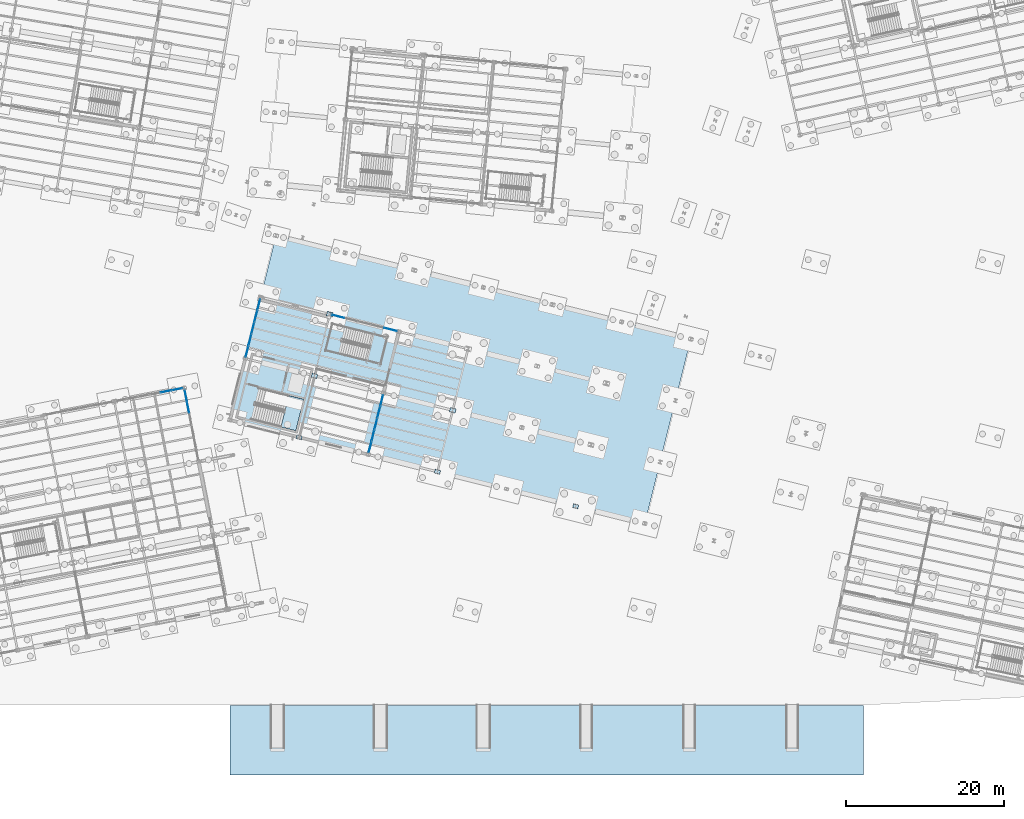
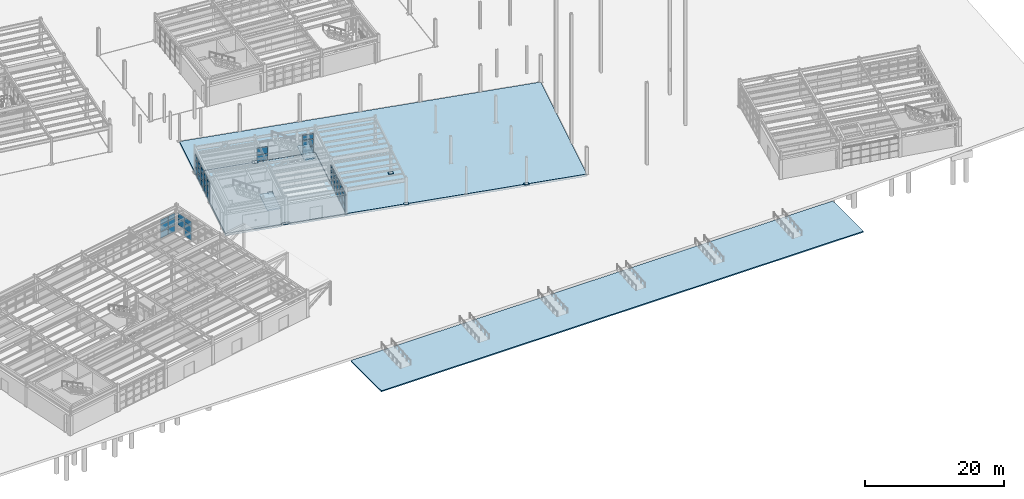
# One storey, part 62 of 108: 52 plates, 5 slabs, 7 elements without a shape of their own.
"""IFC4 building model written with IfcOpenShell, lengths in metres."""

from ifc_helpers import new_model, si_unit, direction, frame, origin, origin_2d, place, context, subcontext, project, spatial, polyline, rectangle, outline, extrude, material, layer, layer_set, type_object, element, aggregate, save


model = new_model("IFC4")

# Units and contexts
model_context = context("Model", 3, precision=1e-05, world=origin(), true_north=direction((0.0, 1.0)))
body_context = subcontext(model_context, "Body", "Model", "MODEL_VIEW")
ifc_project = project(units=[si_unit("LENGTHUNIT", "METRE"), si_unit("AREAUNIT", "SQUARE_METRE"), si_unit("VOLUMEUNIT", "CUBIC_METRE"), si_unit("PLANEANGLEUNIT", "RADIAN"), si_unit("MASSUNIT", "GRAM", prefix="KILO")], contexts=[model_context])

# Site, building, storey
site_placement = place(None, origin())
site = spatial("IfcSite", under=ifc_project, at=site_placement, CompositionType="ELEMENT")
building_placement = place(site_placement, origin())
building = spatial("IfcBuilding", under=site, at=building_placement, Name="Vireo Bluff Cable Station", CompositionType="ELEMENT")
storey_placement = place(building_placement, origin())
storey = spatial("IfcBuildingStorey", under=building, at=storey_placement, Name="L00", CompositionType="ELEMENT", Elevation=0.0)

# Plates
ifc_material_1 = material(Name="Steel ASTM A572 Gr. 50", Category="steel")
ifc_layer_1 = layer(ifc_material_1, 0.0419921875, Name="Steel ASTM A572 Gr. 50")
ifc_layer_set_1 = layer_set([ifc_layer_1], Name="Steel ASTM A572 Gr. 50")
plate_type_1 = type_object("IfcPlateType", Name="BASEPLATE-680X500X42", PredefinedType="SHEET", material=ifc_layer_set_1)
for number, where, z_axis, x_axis, name in (
    (1, (62.732666015625, 35.82275390625, 0.0), (0.0, 0.0, 1.0), (0.970295726276, -0.2419218956, 0.0), "V1 column baseplate 5"),
    (2, (97.663330078125, 27.113525390625, 0.0), (0.0, 0.0, 1.0), (0.970295726276, -0.2419218956, 0.0), "V1 column baseplate 21"),
):
    element("IfcPlate", number, at=place(storey_placement, frame(where, z_axis=z_axis, x_axis=x_axis)), inside=storey, type_object=plate_type_1, Name=name, PredefinedType="SHEET", context=body_context, shape_type="SweptSolid", body=[
        extrude(rectangle(XDim=0.679931640625, YDim=0.5, at=origin_2d()), origin(), (0.0, 0.0, 1.0), 0.0419921875),
    ])
ifc_layer_2 = layer(ifc_material_1, 0.0439453125, Name="Steel ASTM A572 Gr. 50")
ifc_layer_set_2 = layer_set([ifc_layer_2], Name="Steel ASTM A572 Gr. 50")
plate_type_2 = type_object("IfcPlateType", Name="BASEPLATE-700X510X44", PredefinedType="SHEET", material=ifc_layer_set_2)
plate_1_placement = place(storey_placement, frame((80.197998046875, 31.468017578125, 0.0), z_axis=(0.0, 0.0, 1.0), x_axis=(0.970295726276, -0.2419218956, 0.0)))
element("IfcPlate", 3, at=plate_1_placement, inside=storey, type_object=plate_type_2, Name="V1 column baseplate 13", PredefinedType="SHEET", context=body_context, shape_type="SweptSolid", body=[
    extrude(rectangle(XDim=0.699951171875, YDim=0.510009765625, at=origin_2d()), origin(), (0.0, 0.0, 1.0), 0.0439453125),
])
ifc_layer_3 = layer(ifc_material_1, 0.044921875, Name="Steel ASTM A572 Gr. 50")
ifc_layer_set_3 = layer_set([ifc_layer_3], Name="Steel ASTM A572 Gr. 50")
plate_type_3 = type_object("IfcPlateType", Name="BASEPLATE-720X540X45", PredefinedType="SHEET", material=ifc_layer_set_3)
plate_2_placement = place(storey_placement, frame((64.66796875, 43.5849609375, 0.0), z_axis=(0.0, 0.0, 1.0), x_axis=(0.970295726276, -0.2419218956, 0.0)))
element("IfcPlate", 4, at=plate_2_placement, inside=storey, type_object=plate_type_3, Name="V1 column baseplate 6", PredefinedType="SHEET", context=body_context, shape_type="SweptSolid", body=[
    extrude(rectangle(XDim=0.719970703125, YDim=0.5400390625, at=origin_2d()), origin(), (0.0, 0.0, 1.0), 0.044921875),
])
ifc_layer_4 = layer(ifc_material_1, 0.047119140625, Name="Steel ASTM A572 Gr. 50")
ifc_layer_set_4 = layer_set([ifc_layer_4], Name="Steel ASTM A572 Gr. 50")
plate_type_4 = type_object("IfcPlateType", Name="BASEPLATE-740X550X47", PredefinedType="SHEET", material=ifc_layer_set_4)
plate_3_placement = place(storey_placement, frame((82.13330078125, 39.23046875, 0.0), z_axis=(0.0, 0.0, 1.0), x_axis=(0.970295726276, -0.2419218956, 0.0)))
element("IfcPlate", 5, at=plate_3_placement, inside=storey, type_object=plate_type_4, Name="V1 column baseplate 14", PredefinedType="SHEET", context=body_context, shape_type="SweptSolid", body=[
    extrude(rectangle(XDim=0.739990234375, YDim=0.550048828125, at=origin_2d()), origin(), (0.0, 0.0, 1.0), 0.047119140625),
])
ifc_layer_5 = layer(ifc_material_1, 0.050048828125, Name="Steel ASTM A572 Gr. 50")
ifc_layer_set_5 = layer_set([ifc_layer_5], Name="Steel ASTM A572 Gr. 50")
plate_type_5 = type_object("IfcPlateType", Name="BASEPLATE-780X580X50", PredefinedType="SHEET", material=ifc_layer_set_5)
plate_4_placement = place(storey_placement, frame((66.603515625, 51.347412109375, 0.0), z_axis=(0.0, 0.0, 1.0), x_axis=(0.970295726276, -0.2419218956, 0.0)))
element("IfcPlate", 6, at=plate_4_placement, inside=storey, type_object=plate_type_5, Name="V1 column baseplate 7", PredefinedType="SHEET", context=body_context, shape_type="SweptSolid", body=[
    extrude(rectangle(XDim=0.780029296875, YDim=0.580078125, at=origin_2d()), origin(), (0.0, 0.0, 1.0), 0.050048828125),
])

# Curtain wall, plates
ifc_material_2 = material(Name="Anodized Aluminium 6063-T6", Category="aluminium")
ifc_layer_6 = layer(ifc_material_2, 0.179931640625, Name="Anodized Aluminium 6063-T6")
ifc_layer_set_6 = layer_set([ifc_layer_6], Name="Anodized Aluminium 6063-T6")
curtain_wall_type_1 = type_object("IfcCurtainWallType", Name="CW-UNIT-1500", PredefinedType="USERDEFINED", material=ifc_layer_set_6)
curtain_wall_1_placement = place(storey_placement, origin())
curtain_wall_1 = element("IfcCurtainWall", 7, at=curtain_wall_1_placement, inside=storey, type_object=curtain_wall_type_1, Name="V5 L00 north curtain wall CW-115", ObjectType="UNITISED CURTAIN WALL", PredefinedType="USERDEFINED")
ifc_material_3 = material(Name="Laminated Low-E Insulated Glass", Category="glass")
ifc_layer_7 = layer(ifc_material_3, 0.028076171875, Name="Laminated Low-E Insulated Glass")
ifc_layer_set_7 = layer_set([ifc_layer_7], Name="Laminated Low-E Insulated Glass")
plate_type_6 = type_object("IfcPlateType", Name="CWP-28-1", PredefinedType="CURTAIN_PANEL", material=ifc_layer_set_7)
plate_5_placement = place(storey_placement, frame((45.909423828125, 41.610595703125, 0.080078125), z_axis=(0.0, 0.0, 1.0), x_axis=(0.981627170646, 0.190809061234, 0.0)))
plate_5 = element("IfcPlate", 8, at=plate_5_placement, type_object=plate_type_6, Name="CW-115 panel 5.1", PredefinedType="CURTAIN_PANEL", context=body_context, shape_type="SweptSolid", body=[
    extrude(rectangle(XDim=1.364501953125, YDim=0.028076171875, at=origin_2d()), origin(), (0.0, 0.0, 1.0), 1.070068359375),
])
plate_6_placement = place(storey_placement, frame((45.909423828125, 41.610595703125, 1.22998046875), z_axis=(0.0, 0.0, 1.0), x_axis=(0.981627170646, 0.190809061234, 0.0)))
plate_6 = element("IfcPlate", 9, at=plate_6_placement, type_object=plate_type_6, Name="CW-115 panel 5.2", PredefinedType="CURTAIN_PANEL", context=body_context, shape_type="SweptSolid", body=[
    extrude(rectangle(XDim=1.364501953125, YDim=0.028076171875, at=origin_2d()), origin(), (0.0, 0.0, 1.0), 1.177978515625),
])
plate_7_placement = place(storey_placement, frame((45.909423828125, 41.610595703125, 2.488037109375), z_axis=(0.0, 0.0, 1.0), x_axis=(0.981627170646, 0.190809061234, 0.0)))
plate_7 = element("IfcPlate", 10, at=plate_7_placement, type_object=plate_type_6, Name="CW-115 panel 5.3", PredefinedType="CURTAIN_PANEL", context=body_context, shape_type="SweptSolid", body=[
    extrude(rectangle(XDim=1.364501953125, YDim=0.028076171875, at=origin_2d()), origin(), (0.0, 0.0, 1.0), 0.83203125),
])
plate_8_placement = place(storey_placement, frame((47.307861328125, 41.882568359375, 0.080078125), z_axis=(0.0, 0.0, 1.0), x_axis=(0.981627170646, 0.190809061234, 0.0)))
plate_8 = element("IfcPlate", 11, at=plate_8_placement, type_object=plate_type_6, Name="CW-115 panel 6.1", PredefinedType="CURTAIN_PANEL", context=body_context, shape_type="SweptSolid", body=[
    extrude(rectangle(XDim=1.324462890625, YDim=0.028076171875, at=origin_2d()), origin(), (0.0, 0.0, 1.0), 1.070068359375),
])
plate_9_placement = place(storey_placement, frame((47.307861328125, 41.882568359375, 1.22998046875), z_axis=(0.0, 0.0, 1.0), x_axis=(0.981627170646, 0.190809061234, 0.0)))
plate_9 = element("IfcPlate", 12, at=plate_9_placement, type_object=plate_type_6, Name="CW-115 panel 6.2", PredefinedType="CURTAIN_PANEL", context=body_context, shape_type="SweptSolid", body=[
    extrude(rectangle(XDim=1.324462890625, YDim=0.028076171875, at=origin_2d()), origin(), (0.0, 0.0, 1.0), 1.177978515625),
])
plate_10_placement = place(storey_placement, frame((47.307861328125, 41.882568359375, 2.488037109375), z_axis=(0.0, 0.0, 1.0), x_axis=(0.981627170646, 0.190809061234, 0.0)))
plate_10 = element("IfcPlate", 13, at=plate_10_placement, type_object=plate_type_6, Name="CW-115 panel 6.3", PredefinedType="CURTAIN_PANEL", context=body_context, shape_type="SweptSolid", body=[
    extrude(rectangle(XDim=1.324462890625, YDim=0.028076171875, at=origin_2d()), origin(), (0.0, 0.0, 1.0), 0.83203125),
])
aggregate(curtain_wall_1, [plate_5, plate_6, plate_7, plate_8, plate_9, plate_10])

curtain_wall_2_placement = place(storey_placement, origin())
curtain_wall_2 = element("IfcCurtainWall", 14, at=curtain_wall_2_placement, inside=storey, type_object=curtain_wall_type_1, Name="V1 L00 west curtain wall CW-001", ObjectType="UNITISED CURTAIN WALL", PredefinedType="USERDEFINED")
ifc_layer_8 = layer(ifc_material_3, 0.031982421875, Name="Laminated Low-E Insulated Glass")
ifc_layer_set_8 = layer_set([ifc_layer_8], Name="Laminated Low-E Insulated Glass")
plate_type_7 = type_object("IfcPlateType", Name="CWP-32-2", PredefinedType="CURTAIN_PANEL", material=ifc_layer_set_8)
plate_11_placement = place(storey_placement, frame((56.157470703125, 46.6533203125, 0.0751953125), z_axis=(0.0, 0.0, 1.0), x_axis=(0.241921841611, 0.970295739737, 0.0)))
plate_11 = element("IfcPlate", 15, at=plate_11_placement, type_object=plate_type_7, Name="CW-001 panel 1.1", PredefinedType="CURTAIN_PANEL", context=body_context, shape_type="SweptSolid", body=[
    extrude(rectangle(XDim=1.42578125, YDim=0.031982421875, at=origin_2d()), origin(), (0.0, 0.0, 1.0), 1.077392578125),
])
plate_12_placement = place(storey_placement, frame((56.157470703125, 46.6533203125, 1.2275390625), z_axis=(0.0, 0.0, 1.0), x_axis=(0.241921841611, 0.970295739737, 0.0)))
plate_12 = element("IfcPlate", 16, at=plate_12_placement, type_object=plate_type_7, Name="CW-001 panel 1.2", PredefinedType="CURTAIN_PANEL", context=body_context, shape_type="SweptSolid", body=[
    extrude(rectangle(XDim=1.42578125, YDim=0.031982421875, at=origin_2d()), origin(), (0.0, 0.0, 1.0), 1.18310546875),
])
plate_13_placement = place(storey_placement, frame((56.157470703125, 46.6533203125, 2.4853515625), z_axis=(0.0, 0.0, 1.0), x_axis=(0.241921841611, 0.970295739737, 0.0)))
plate_13 = element("IfcPlate", 17, at=plate_13_placement, type_object=plate_type_7, Name="CW-001 panel 1.3", PredefinedType="CURTAIN_PANEL", context=body_context, shape_type="SweptSolid", body=[
    extrude(rectangle(XDim=1.42578125, YDim=0.031982421875, at=origin_2d()), origin(), (0.0, 0.0, 1.0), 0.839599609375),
])
plate_14_placement = place(storey_placement, frame((56.525146484375, 48.127685546875, 0.0751953125), z_axis=(0.0, 0.0, 1.0), x_axis=(0.241921841611, 0.970295739737, 0.0)))
plate_14 = element("IfcPlate", 18, at=plate_14_placement, type_object=plate_type_7, Name="CW-001 panel 2.1", PredefinedType="CURTAIN_PANEL", context=body_context, shape_type="SweptSolid", body=[
    extrude(rectangle(XDim=1.463134765625, YDim=0.031982421875, at=origin_2d()), origin(), (0.0, 0.0, 1.0), 1.077392578125),
])
plate_15_placement = place(storey_placement, frame((56.525146484375, 48.127685546875, 1.2275390625), z_axis=(0.0, 0.0, 1.0), x_axis=(0.241921841611, 0.970295739737, 0.0)))
plate_15 = element("IfcPlate", 19, at=plate_15_placement, type_object=plate_type_7, Name="CW-001 panel 2.2", PredefinedType="CURTAIN_PANEL", context=body_context, shape_type="SweptSolid", body=[
    extrude(rectangle(XDim=1.463134765625, YDim=0.031982421875, at=origin_2d()), origin(), (0.0, 0.0, 1.0), 1.18310546875),
])
plate_16_placement = place(storey_placement, frame((56.525146484375, 48.127685546875, 2.4853515625), z_axis=(0.0, 0.0, 1.0), x_axis=(0.241921841611, 0.970295739737, 0.0)))
plate_16 = element("IfcPlate", 20, at=plate_16_placement, type_object=plate_type_7, Name="CW-001 panel 2.3", PredefinedType="CURTAIN_PANEL", context=body_context, shape_type="SweptSolid", body=[
    extrude(rectangle(XDim=1.463134765625, YDim=0.031982421875, at=origin_2d()), origin(), (0.0, 0.0, 1.0), 0.839599609375),
])
plate_17_placement = place(storey_placement, frame((56.897216796875, 49.620361328125, 0.0751953125), z_axis=(0.0, 0.0, 1.0), x_axis=(0.241921841611, 0.970295739737, 0.0)))
plate_17 = element("IfcPlate", 21, at=plate_17_placement, type_object=plate_type_7, Name="CW-001 panel 3.1", PredefinedType="CURTAIN_PANEL", context=body_context, shape_type="SweptSolid", body=[
    extrude(rectangle(XDim=1.463134765625, YDim=0.031982421875, at=origin_2d()), origin(), (0.0, 0.0, 1.0), 1.077392578125),
])
plate_18_placement = place(storey_placement, frame((56.897216796875, 49.620361328125, 1.2275390625), z_axis=(0.0, 0.0, 1.0), x_axis=(0.241921841611, 0.970295739737, 0.0)))
plate_18 = element("IfcPlate", 22, at=plate_18_placement, type_object=plate_type_7, Name="CW-001 panel 3.2", PredefinedType="CURTAIN_PANEL", context=body_context, shape_type="SweptSolid", body=[
    extrude(rectangle(XDim=1.463134765625, YDim=0.031982421875, at=origin_2d()), origin(), (0.0, 0.0, 1.0), 1.18310546875),
])
plate_19_placement = place(storey_placement, frame((56.897216796875, 49.620361328125, 2.4853515625), z_axis=(0.0, 0.0, 1.0), x_axis=(0.241921841611, 0.970295739737, 0.0)))
plate_19 = element("IfcPlate", 23, at=plate_19_placement, type_object=plate_type_7, Name="CW-001 panel 3.3", PredefinedType="CURTAIN_PANEL", context=body_context, shape_type="SweptSolid", body=[
    extrude(rectangle(XDim=1.463134765625, YDim=0.031982421875, at=origin_2d()), origin(), (0.0, 0.0, 1.0), 0.839599609375),
])
plate_20_placement = place(storey_placement, frame((57.269287109375, 51.11279296875, 0.0751953125), z_axis=(0.0, 0.0, 1.0), x_axis=(0.241921841611, 0.970295739737, 0.0)))
plate_20 = element("IfcPlate", 24, at=plate_20_placement, type_object=plate_type_7, Name="CW-001 panel 4.1", PredefinedType="CURTAIN_PANEL", context=body_context, shape_type="SweptSolid", body=[
    extrude(rectangle(XDim=1.463134765625, YDim=0.031982421875, at=origin_2d()), origin(), (0.0, 0.0, 1.0), 1.077392578125),
])
plate_21_placement = place(storey_placement, frame((57.269287109375, 51.11279296875, 1.2275390625), z_axis=(0.0, 0.0, 1.0), x_axis=(0.241921841611, 0.970295739737, 0.0)))
plate_21 = element("IfcPlate", 25, at=plate_21_placement, type_object=plate_type_7, Name="CW-001 panel 4.2", PredefinedType="CURTAIN_PANEL", context=body_context, shape_type="SweptSolid", body=[
    extrude(rectangle(XDim=1.463134765625, YDim=0.031982421875, at=origin_2d()), origin(), (0.0, 0.0, 1.0), 1.18310546875),
])
plate_22_placement = place(storey_placement, frame((57.269287109375, 51.11279296875, 2.4853515625), z_axis=(0.0, 0.0, 1.0), x_axis=(0.241921841611, 0.970295739737, 0.0)))
plate_22 = element("IfcPlate", 26, at=plate_22_placement, type_object=plate_type_7, Name="CW-001 panel 4.3", PredefinedType="CURTAIN_PANEL", context=body_context, shape_type="SweptSolid", body=[
    extrude(rectangle(XDim=1.463134765625, YDim=0.031982421875, at=origin_2d()), origin(), (0.0, 0.0, 1.0), 0.839599609375),
])
plate_23_placement = place(storey_placement, frame((57.636962890625, 52.587158203125, 0.0751953125), z_axis=(0.0, 0.0, 1.0), x_axis=(0.241921841611, 0.970295739737, 0.0)))
plate_23 = element("IfcPlate", 27, at=plate_23_placement, type_object=plate_type_7, Name="CW-001 panel 5.1", PredefinedType="CURTAIN_PANEL", context=body_context, shape_type="SweptSolid", body=[
    extrude(rectangle(XDim=1.42578125, YDim=0.031982421875, at=origin_2d()), origin(), (0.0, 0.0, 1.0), 1.077392578125),
])
plate_24_placement = place(storey_placement, frame((57.636962890625, 52.587158203125, 1.2275390625), z_axis=(0.0, 0.0, 1.0), x_axis=(0.241921841611, 0.970295739737, 0.0)))
plate_24 = element("IfcPlate", 28, at=plate_24_placement, type_object=plate_type_7, Name="CW-001 panel 5.2", PredefinedType="CURTAIN_PANEL", context=body_context, shape_type="SweptSolid", body=[
    extrude(rectangle(XDim=1.42578125, YDim=0.031982421875, at=origin_2d()), origin(), (0.0, 0.0, 1.0), 1.18310546875),
])
plate_25_placement = place(storey_placement, frame((57.636962890625, 52.587158203125, 2.4853515625), z_axis=(0.0, 0.0, 1.0), x_axis=(0.241921841611, 0.970295739737, 0.0)))
plate_25 = element("IfcPlate", 29, at=plate_25_placement, type_object=plate_type_7, Name="CW-001 panel 5.3", PredefinedType="CURTAIN_PANEL", context=body_context, shape_type="SweptSolid", body=[
    extrude(rectangle(XDim=1.42578125, YDim=0.031982421875, at=origin_2d()), origin(), (0.0, 0.0, 1.0), 0.839599609375),
])
aggregate(curtain_wall_2, [plate_11, plate_12, plate_13, plate_14, plate_15, plate_16, plate_17, plate_18, plate_19, plate_20, plate_21, plate_22, plate_23, plate_24, plate_25])

ifc_layer_9 = layer(ifc_material_2, 0.179931640625, Name="Anodized Aluminium 6063-T6")
ifc_layer_set_9 = layer_set([ifc_layer_9], Name="Anodized Aluminium 6063-T6")
curtain_wall_type_2 = type_object("IfcCurtainWallType", Name="CW-UNIT-1650", PredefinedType="USERDEFINED", material=ifc_layer_set_9)
curtain_wall_3_placement = place(storey_placement, origin())
curtain_wall_3 = element("IfcCurtainWall", 30, at=curtain_wall_3_placement, inside=storey, type_object=curtain_wall_type_2, Name="V5 L00 east curtain wall CW-116", ObjectType="UNITISED CURTAIN WALL", PredefinedType="USERDEFINED")
plate_26_placement = place(storey_placement, frame((48.422607421875, 41.09912109375, 1.22265625), z_axis=(0.0, 0.0, 1.0), x_axis=(0.190809009442, -0.981627180714, 0.0)))
plate_26 = element("IfcPlate", 31, at=plate_26_placement, type_object=plate_type_7, Name="CW-116 panel 1.2", PredefinedType="CURTAIN_PANEL", context=body_context, shape_type="SweptSolid", body=[
    extrude(rectangle(XDim=1.430419921875, YDim=0.031982421875, at=origin_2d()), origin(), (0.0, 0.0, 1.0), 1.193115234375),
])
plate_27_placement = place(storey_placement, frame((48.422607421875, 41.09912109375, 2.48046875), z_axis=(0.0, 0.0, 1.0), x_axis=(0.190809009442, -0.981627180714, 0.0)))
plate_27 = element("IfcPlate", 32, at=plate_27_placement, type_object=plate_type_7, Name="CW-116 panel 1.3", PredefinedType="CURTAIN_PANEL", context=body_context, shape_type="SweptSolid", body=[
    extrude(rectangle(XDim=1.430419921875, YDim=0.031982421875, at=origin_2d()), origin(), (0.0, 0.0, 1.0), 0.8544921875),
])
plate_28_placement = place(storey_placement, frame((48.7109375, 39.614990234375, 0.06494140625), z_axis=(0.0, 0.0, 1.0), x_axis=(0.190809009442, -0.981627180714, 0.0)))
plate_28 = element("IfcPlate", 33, at=plate_28_placement, type_object=plate_type_7, Name="CW-116 panel 2.1", PredefinedType="CURTAIN_PANEL", context=body_context, shape_type="SweptSolid", body=[
    extrude(rectangle(XDim=1.462890625, YDim=0.031982421875, at=origin_2d()), origin(), (0.0, 0.0, 1.0), 1.092529296875),
])
plate_29_placement = place(storey_placement, frame((48.7109375, 39.614990234375, 1.22265625), z_axis=(0.0, 0.0, 1.0), x_axis=(0.190809009442, -0.981627180714, 0.0)))
plate_29 = element("IfcPlate", 34, at=plate_29_placement, type_object=plate_type_7, Name="CW-116 panel 2.2", PredefinedType="CURTAIN_PANEL", context=body_context, shape_type="SweptSolid", body=[
    extrude(rectangle(XDim=1.462890625, YDim=0.031982421875, at=origin_2d()), origin(), (0.0, 0.0, 1.0), 1.193115234375),
])
plate_30_placement = place(storey_placement, frame((48.7109375, 39.614990234375, 2.48046875), z_axis=(0.0, 0.0, 1.0), x_axis=(0.190809009442, -0.981627180714, 0.0)))
plate_30 = element("IfcPlate", 35, at=plate_30_placement, type_object=plate_type_7, Name="CW-116 panel 2.3", PredefinedType="CURTAIN_PANEL", context=body_context, shape_type="SweptSolid", body=[
    extrude(rectangle(XDim=1.462890625, YDim=0.031982421875, at=origin_2d()), origin(), (0.0, 0.0, 1.0), 0.8544921875),
])
aggregate(curtain_wall_3, [plate_26, plate_27, plate_28, plate_29, plate_30])

curtain_wall_4_placement = place(storey_placement, origin())
curtain_wall_4 = element("IfcCurtainWall", 36, at=curtain_wall_4_placement, inside=storey, type_object=curtain_wall_type_2, Name="V1 L00 north curtain wall CW-002", ObjectType="UNITISED CURTAIN WALL", PredefinedType="USERDEFINED")
ifc_layer_10 = layer(ifc_material_3, 0.035888671875, Name="Laminated Low-E Insulated Glass")
ifc_layer_set_10 = layer_set([ifc_layer_10], Name="Laminated Low-E Insulated Glass")
plate_type_8 = type_object("IfcPlateType", Name="CWP-36-3", PredefinedType="CURTAIN_PANEL", material=ifc_layer_set_10)
plate_31_placement = place(storey_placement, frame((67.6484375, 51.0869140625, 0.06005859375), z_axis=(0.0, 0.0, 1.0), x_axis=(0.97029574678, -0.241921813364, 0.0)))
plate_31 = element("IfcPlate", 37, at=plate_31_placement, type_object=plate_type_8, Name="CW-002 panel 1.1", PredefinedType="CURTAIN_PANEL", context=body_context, shape_type="SweptSolid", body=[
    extrude(rectangle(XDim=1.62890625, YDim=0.035888671875, at=origin_2d()), origin(), (0.0, 0.0, 1.0), 1.10009765625),
])
plate_32_placement = place(storey_placement, frame((67.6484375, 51.0869140625, 1.22021484375), z_axis=(0.0, 0.0, 1.0), x_axis=(0.97029574678, -0.241921813364, 0.0)))
plate_32 = element("IfcPlate", 38, at=plate_32_placement, type_object=plate_type_8, Name="CW-002 panel 1.2", PredefinedType="CURTAIN_PANEL", context=body_context, shape_type="SweptSolid", body=[
    extrude(rectangle(XDim=1.62890625, YDim=0.035888671875, at=origin_2d()), origin(), (0.0, 0.0, 1.0), 1.197998046875),
])
plate_33_placement = place(storey_placement, frame((74.291015625, 49.4306640625, 0.06005859375), z_axis=(0.0, 0.0, 1.0), x_axis=(0.97029574678, -0.241921813364, 0.0)))
plate_33 = element("IfcPlate", 39, at=plate_33_placement, type_object=plate_type_8, Name="CW-002 panel 5.1", PredefinedType="CURTAIN_PANEL", context=body_context, shape_type="SweptSolid", body=[
    extrude(rectangle(XDim=1.62890625, YDim=0.035888671875, at=origin_2d()), origin(), (0.0, 0.0, 1.0), 1.10009765625),
])
plate_34_placement = place(storey_placement, frame((74.291015625, 49.4306640625, 1.22021484375), z_axis=(0.0, 0.0, 1.0), x_axis=(0.97029574678, -0.241921813364, 0.0)))
plate_34 = element("IfcPlate", 40, at=plate_34_placement, type_object=plate_type_8, Name="CW-002 panel 5.2", PredefinedType="CURTAIN_PANEL", context=body_context, shape_type="SweptSolid", body=[
    extrude(rectangle(XDim=1.62890625, YDim=0.035888671875, at=origin_2d()), origin(), (0.0, 0.0, 1.0), 1.197998046875),
])
plate_35_placement = place(storey_placement, frame((74.291015625, 49.4306640625, 2.47802734375), z_axis=(0.0, 0.0, 1.0), x_axis=(0.97029574678, -0.241921813364, 0.0)))
plate_35 = element("IfcPlate", 41, at=plate_35_placement, type_object=plate_type_8, Name="CW-002 panel 5.3", PredefinedType="CURTAIN_PANEL", context=body_context, shape_type="SweptSolid", body=[
    extrude(rectangle(XDim=1.62890625, YDim=0.035888671875, at=origin_2d()), origin(), (0.0, 0.0, 1.0), 0.862060546875),
])
aggregate(curtain_wall_4, [plate_31, plate_32, plate_33, plate_34, plate_35])

ifc_layer_11 = layer(ifc_material_2, 0.179931640625, Name="Anodized Aluminium 6063-T6")
ifc_layer_set_11 = layer_set([ifc_layer_11], Name="Anodized Aluminium 6063-T6")
curtain_wall_type_3 = type_object("IfcCurtainWallType", Name="CW-UNIT-1400", PredefinedType="USERDEFINED", material=ifc_layer_set_11)
curtain_wall_5_placement = place(storey_placement, origin())
curtain_wall_5 = element("IfcCurtainWall", 42, at=curtain_wall_5_placement, inside=storey, type_object=curtain_wall_type_3, Name="V1 L00 east curtain wall CW-003", ObjectType="UNITISED CURTAIN WALL", PredefinedType="USERDEFINED")
ifc_material_4 = material(Name="Insulated Spandrel Glass Panel", Category="glass")
ifc_layer_12 = layer(ifc_material_4, 0.0419921875, Name="Insulated Spandrel Glass Panel")
ifc_layer_set_12 = layer_set([ifc_layer_12], Name="Insulated Spandrel Glass Panel")
plate_type_9 = type_object("IfcPlateType", Name="CWP-42-4", PredefinedType="CURTAIN_PANEL", material=ifc_layer_set_12)
plate_36_placement = place(storey_placement, frame((73.161376953125, 40.44775390625, 0.080078125), z_axis=(0.0, 0.0, 1.0), x_axis=(-0.241921976125, -0.970295706199, 0.0)))
plate_36 = element("IfcPlate", 43, at=plate_36_placement, type_object=plate_type_9, Name="CW-003 panel 1.1", PredefinedType="CURTAIN_PANEL", context=body_context, shape_type="SweptSolid", body=[
    extrude(rectangle(XDim=1.397705078125, YDim=0.0419921875, at=origin_2d()), origin(), (0.0, 0.0, 1.0), 1.070068359375),
])
plate_37_placement = place(storey_placement, frame((73.161376953125, 40.44775390625, 1.22998046875), z_axis=(0.0, 0.0, 1.0), x_axis=(-0.241921976125, -0.970295706199, 0.0)))
plate_37 = element("IfcPlate", 44, at=plate_37_placement, type_object=plate_type_9, Name="CW-003 panel 1.2", PredefinedType="CURTAIN_PANEL", context=body_context, shape_type="SweptSolid", body=[
    extrude(rectangle(XDim=1.397705078125, YDim=0.0419921875, at=origin_2d()), origin(), (0.0, 0.0, 1.0), 1.177978515625),
])
plate_38_placement = place(storey_placement, frame((73.161376953125, 40.44775390625, 2.488037109375), z_axis=(0.0, 0.0, 1.0), x_axis=(-0.241921976125, -0.970295706199, 0.0)))
plate_38 = element("IfcPlate", 45, at=plate_38_placement, type_object=plate_type_9, Name="CW-003 panel 1.3", PredefinedType="CURTAIN_PANEL", context=body_context, shape_type="SweptSolid", body=[
    extrude(rectangle(XDim=1.397705078125, YDim=0.0419921875, at=origin_2d()), origin(), (0.0, 0.0, 1.0), 0.83203125),
])
plate_39_placement = place(storey_placement, frame((72.799072265625, 38.99462890625, 0.080078125), z_axis=(0.0, 0.0, 1.0), x_axis=(-0.241921976125, -0.970295706199, 0.0)))
plate_39 = element("IfcPlate", 46, at=plate_39_placement, type_object=plate_type_9, Name="CW-003 panel 2.1", PredefinedType="CURTAIN_PANEL", context=body_context, shape_type="SweptSolid", body=[
    extrude(rectangle(XDim=1.4375, YDim=0.0419921875, at=origin_2d()), origin(), (0.0, 0.0, 1.0), 1.070068359375),
])
plate_40_placement = place(storey_placement, frame((72.799072265625, 38.99462890625, 1.22998046875), z_axis=(0.0, 0.0, 1.0), x_axis=(-0.241921976125, -0.970295706199, 0.0)))
plate_40 = element("IfcPlate", 47, at=plate_40_placement, type_object=plate_type_9, Name="CW-003 panel 2.2", PredefinedType="CURTAIN_PANEL", context=body_context, shape_type="SweptSolid", body=[
    extrude(rectangle(XDim=1.4375, YDim=0.0419921875, at=origin_2d()), origin(), (0.0, 0.0, 1.0), 1.177978515625),
])
plate_41_placement = place(storey_placement, frame((72.799072265625, 38.99462890625, 2.488037109375), z_axis=(0.0, 0.0, 1.0), x_axis=(-0.241921976125, -0.970295706199, 0.0)))
plate_41 = element("IfcPlate", 48, at=plate_41_placement, type_object=plate_type_9, Name="CW-003 panel 2.3", PredefinedType="CURTAIN_PANEL", context=body_context, shape_type="SweptSolid", body=[
    extrude(rectangle(XDim=1.4375, YDim=0.0419921875, at=origin_2d()), origin(), (0.0, 0.0, 1.0), 0.83203125),
])
plate_42_placement = place(storey_placement, frame((72.431884765625, 37.522216796875, 0.080078125), z_axis=(0.0, 0.0, 1.0), x_axis=(-0.241921976125, -0.970295706199, 0.0)))
plate_42 = element("IfcPlate", 49, at=plate_42_placement, type_object=plate_type_9, Name="CW-003 panel 3.1", PredefinedType="CURTAIN_PANEL", context=body_context, shape_type="SweptSolid", body=[
    extrude(rectangle(XDim=1.4375, YDim=0.0419921875, at=origin_2d()), origin(), (0.0, 0.0, 1.0), 1.070068359375),
])
plate_43_placement = place(storey_placement, frame((72.431884765625, 37.522216796875, 1.22998046875), z_axis=(0.0, 0.0, 1.0), x_axis=(-0.241921976125, -0.970295706199, 0.0)))
plate_43 = element("IfcPlate", 50, at=plate_43_placement, type_object=plate_type_9, Name="CW-003 panel 3.2", PredefinedType="CURTAIN_PANEL", context=body_context, shape_type="SweptSolid", body=[
    extrude(rectangle(XDim=1.4375, YDim=0.0419921875, at=origin_2d()), origin(), (0.0, 0.0, 1.0), 1.177978515625),
])
plate_44_placement = place(storey_placement, frame((72.431884765625, 37.522216796875, 2.488037109375), z_axis=(0.0, 0.0, 1.0), x_axis=(-0.241921976125, -0.970295706199, 0.0)))
plate_44 = element("IfcPlate", 51, at=plate_44_placement, type_object=plate_type_9, Name="CW-003 panel 3.3", PredefinedType="CURTAIN_PANEL", context=body_context, shape_type="SweptSolid", body=[
    extrude(rectangle(XDim=1.4375, YDim=0.0419921875, at=origin_2d()), origin(), (0.0, 0.0, 1.0), 0.83203125),
])
plate_45_placement = place(storey_placement, frame((72.064697265625, 36.0498046875, 0.080078125), z_axis=(0.0, 0.0, 1.0), x_axis=(-0.241921976125, -0.970295706199, 0.0)))
plate_45 = element("IfcPlate", 52, at=plate_45_placement, type_object=plate_type_9, Name="CW-003 panel 4.1", PredefinedType="CURTAIN_PANEL", context=body_context, shape_type="SweptSolid", body=[
    extrude(rectangle(XDim=1.4375, YDim=0.0419921875, at=origin_2d()), origin(), (0.0, 0.0, 1.0), 1.070068359375),
])
plate_46_placement = place(storey_placement, frame((72.064697265625, 36.0498046875, 1.22998046875), z_axis=(0.0, 0.0, 1.0), x_axis=(-0.241921976125, -0.970295706199, 0.0)))
plate_46 = element("IfcPlate", 53, at=plate_46_placement, type_object=plate_type_9, Name="CW-003 panel 4.2", PredefinedType="CURTAIN_PANEL", context=body_context, shape_type="SweptSolid", body=[
    extrude(rectangle(XDim=1.4375, YDim=0.0419921875, at=origin_2d()), origin(), (0.0, 0.0, 1.0), 1.177978515625),
])
plate_47_placement = place(storey_placement, frame((72.064697265625, 36.0498046875, 2.488037109375), z_axis=(0.0, 0.0, 1.0), x_axis=(-0.241921976125, -0.970295706199, 0.0)))
plate_47 = element("IfcPlate", 54, at=plate_47_placement, type_object=plate_type_9, Name="CW-003 panel 4.3", PredefinedType="CURTAIN_PANEL", context=body_context, shape_type="SweptSolid", body=[
    extrude(rectangle(XDim=1.4375, YDim=0.0419921875, at=origin_2d()), origin(), (0.0, 0.0, 1.0), 0.83203125),
])
plate_48_placement = place(storey_placement, frame((71.702392578125, 34.5966796875, 0.080078125), z_axis=(0.0, 0.0, 1.0), x_axis=(-0.241921976125, -0.970295706199, 0.0)))
plate_48 = element("IfcPlate", 55, at=plate_48_placement, type_object=plate_type_9, Name="CW-003 panel 5.1", PredefinedType="CURTAIN_PANEL", context=body_context, shape_type="SweptSolid", body=[
    extrude(rectangle(XDim=1.397705078125, YDim=0.0419921875, at=origin_2d()), origin(), (0.0, 0.0, 1.0), 1.070068359375),
])
plate_49_placement = place(storey_placement, frame((71.702392578125, 34.5966796875, 1.22998046875), z_axis=(0.0, 0.0, 1.0), x_axis=(-0.241921976125, -0.970295706199, 0.0)))
plate_49 = element("IfcPlate", 56, at=plate_49_placement, type_object=plate_type_9, Name="CW-003 panel 5.2", PredefinedType="CURTAIN_PANEL", context=body_context, shape_type="SweptSolid", body=[
    extrude(rectangle(XDim=1.397705078125, YDim=0.0419921875, at=origin_2d()), origin(), (0.0, 0.0, 1.0), 1.177978515625),
])
plate_50_placement = place(storey_placement, frame((71.702392578125, 34.5966796875, 2.488037109375), z_axis=(0.0, 0.0, 1.0), x_axis=(-0.241921976125, -0.970295706199, 0.0)))
plate_50 = element("IfcPlate", 57, at=plate_50_placement, type_object=plate_type_9, Name="CW-003 panel 5.3", PredefinedType="CURTAIN_PANEL", context=body_context, shape_type="SweptSolid", body=[
    extrude(rectangle(XDim=1.397705078125, YDim=0.0419921875, at=origin_2d()), origin(), (0.0, 0.0, 1.0), 0.83203125),
])
aggregate(curtain_wall_5, [plate_36, plate_37, plate_38, plate_39, plate_40, plate_41, plate_42, plate_43, plate_44, plate_45, plate_46, plate_47, plate_48, plate_49, plate_50])

# Slabs
ifc_material_5 = material(Name="Concrete f'c 40 MPa", Category="concrete")
ifc_layer_13 = layer(ifc_material_5, 0.199951171875, Name="Concrete f'c 40 MPa")
ifc_layer_set_13 = layer_set([ifc_layer_13], Name="Concrete f'c 40 MPa")
slab_type_1 = type_object("IfcSlabType", Name="EXT-LANDING-200", PredefinedType="LANDING", material=ifc_layer_set_13)
slab_1_placement = place(storey_placement, frame((0.0, 0.0, -0.64990234375)))
element("IfcSlab", 58, at=slab_1_placement, inside=storey, type_object=slab_type_1, Name="South street arrival sidewalk apron", PredefinedType="LANDING", context=body_context, shape_type="SweptSolid", body=[
    extrude(outline(polyline([(54.0, -6.800048828125), (134.0, -6.800048828125), (134.0, 1.97998046875), (54.0, 1.97998046875), (54.0, -6.800048828125)])), origin(), (0.0, 0.0, 1.0), 0.199951171875),
])
ifc_layer_14 = layer(ifc_material_5, 0.419921875, Name="Concrete f'c 40 MPa")
ifc_layer_set_14 = layer_set([ifc_layer_14], Name="Concrete f'c 40 MPa")
slab_type_2 = type_object("IfcSlabType", Name="GSL-420", PredefinedType="BASESLAB", material=ifc_layer_set_14)
slab_2_placement = place(storey_placement, frame((0.0, 0.0, -0.419921875)))
element("IfcSlab", 59, at=slab_2_placement, inside=storey, type_object=slab_type_2, Name="V1 L00 base slab", PredefinedType="BASESLAB", context=body_context, shape_type="SweptSolid", body=[
    extrude(outline(polyline([(54.0, 38.0), (62.10205078125, 35.97998046875), (62.1552734375, 36.193359375), (63.41650390625, 35.87890625), (63.36328125, 35.66552734375), (71.46533203125, 33.6455078125), (75.336181640625, 49.170166015625), (57.870849609375, 53.524658203125), (54.0, 38.0)])), origin(), (0.0, 0.0, 1.0), 0.419921875),
])
ifc_layer_15 = layer(ifc_material_5, 0.419921875, Name="Concrete f'c 40 MPa")
ifc_layer_set_15 = layer_set([ifc_layer_15], Name="Concrete f'c 40 MPa")
slab_type_3 = type_object("IfcSlabType", Name="GSL-EXT-420", PredefinedType="BASESLAB", material=ifc_layer_set_15)
slab_3_placement = place(storey_placement, frame((0.0, 0.0, -0.419921875)))
element("IfcSlab", 60, at=slab_3_placement, inside=storey, type_object=slab_type_3, Name="V1 L00 covered plinth deck 1", PredefinedType="BASESLAB", context=body_context, shape_type="SweptSolid", body=[
    extrude(outline(polyline([(59.80615234375, 61.287109375), (112.2021484375, 48.223388671875), (106.39599609375, 24.936279296875), (71.494384765625, 33.63818359375), (75.37255859375, 49.19189453125), (57.8779296875, 53.553955078125), (59.80615234375, 61.287109375)])), origin(), (0.0, 0.0, 1.0), 0.419921875),
])

# Stair, slab
stair_type_1 = type_object("IfcStairType", Name="STAIR-HT-1950", PredefinedType="HALF_TURN_STAIR", material=ifc_material_5)
stair_1_placement = place(storey_placement, origin())
stair_1 = element("IfcStair", 61, at=stair_1_placement, inside=storey, type_object=stair_type_1, Name="L00 CORE-2 Exit Stair ST-02", PredefinedType="HALF_TURN_STAIR")
ifc_layer_16 = layer(ifc_material_5, 0.199951171875, Name="Concrete f'c 40 MPa")
ifc_layer_set_16 = layer_set([ifc_layer_16], Name="Concrete f'c 40 MPa")
slab_type_4 = type_object("IfcSlabType", Name="LANDING-200", PredefinedType="LANDING", material=ifc_layer_set_16)
slab_4_placement = place(storey_placement, frame((0.0, 0.0, 2.199951171875)))
slab_4 = element("IfcSlab", 62, at=slab_4_placement, type_object=slab_type_4, Name="ST-02 landing 1", PredefinedType="LANDING", context=body_context, shape_type="SweptSolid", body=[
    extrude(outline(polyline([(60.427001953125, 37.118896484375), (62.31982421875, 36.64697265625), (63.311767578125, 40.625244140625), (61.4189453125, 41.09716796875), (60.427001953125, 37.118896484375)])), origin(), (0.0, 0.0, 1.0), 0.199951171875),
])
aggregate(stair_1, [slab_4])

stair_type_2 = type_object("IfcStairType", Name="STAIR-HT-1680", PredefinedType="HALF_TURN_STAIR", material=ifc_material_5)
stair_2_placement = place(storey_placement, origin())
stair_2 = element("IfcStair", 63, at=stair_2_placement, inside=storey, type_object=stair_type_2, Name="L00 Feature Concourse Stair ST-10", PredefinedType="HALF_TURN_STAIR")
ifc_layer_17 = layer(ifc_material_5, 0.219970703125, Name="Concrete f'c 40 MPa")
ifc_layer_set_17 = layer_set([ifc_layer_17], Name="Concrete f'c 40 MPa")
slab_type_5 = type_object("IfcSlabType", Name="LANDING-220", PredefinedType="LANDING", material=ifc_layer_set_17)
slab_5_placement = place(storey_placement, frame((0.0, 0.0, 2.199951171875)))
slab_5 = element("IfcSlab", 64, at=slab_5_placement, type_object=slab_type_5, Name="ST-10 landing 1", PredefinedType="LANDING", context=body_context, shape_type="SweptSolid", body=[
    extrude(outline(polyline([(71.3115234375, 45.4326171875), (73.058837890625, 44.9970703125), (73.920166015625, 48.451416015625), (72.1728515625, 48.886962890625), (71.3115234375, 45.4326171875)])), origin(), (0.0, 0.0, 1.0), 0.199951171875),
])
aggregate(stair_2, [slab_5])

save(model, "model.ifc")
